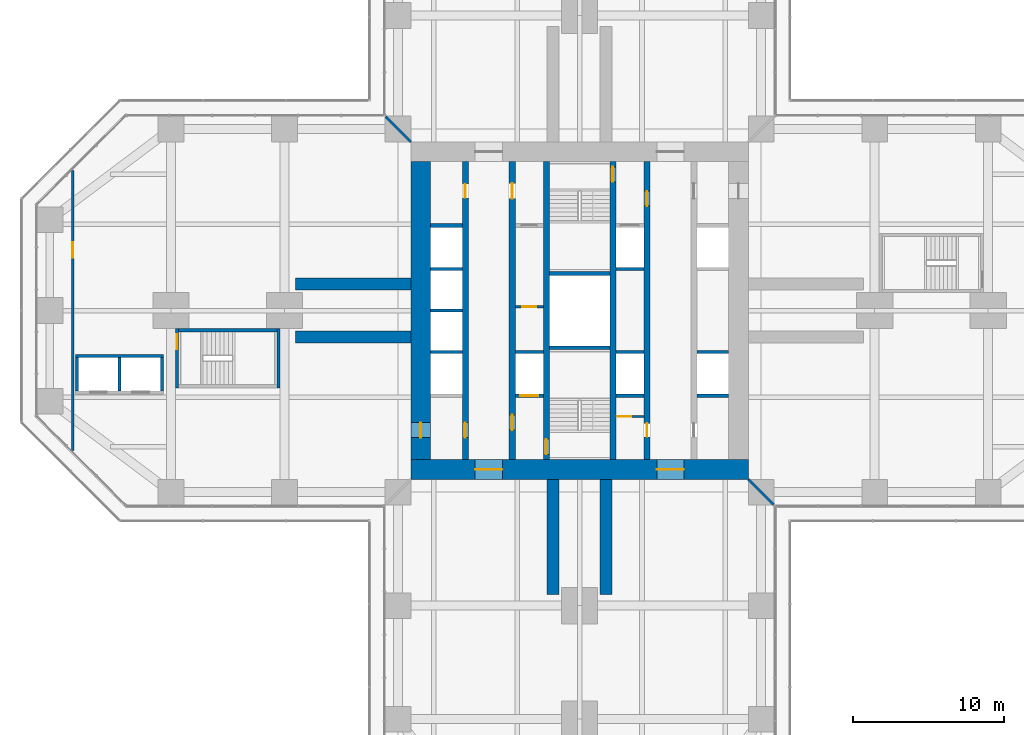
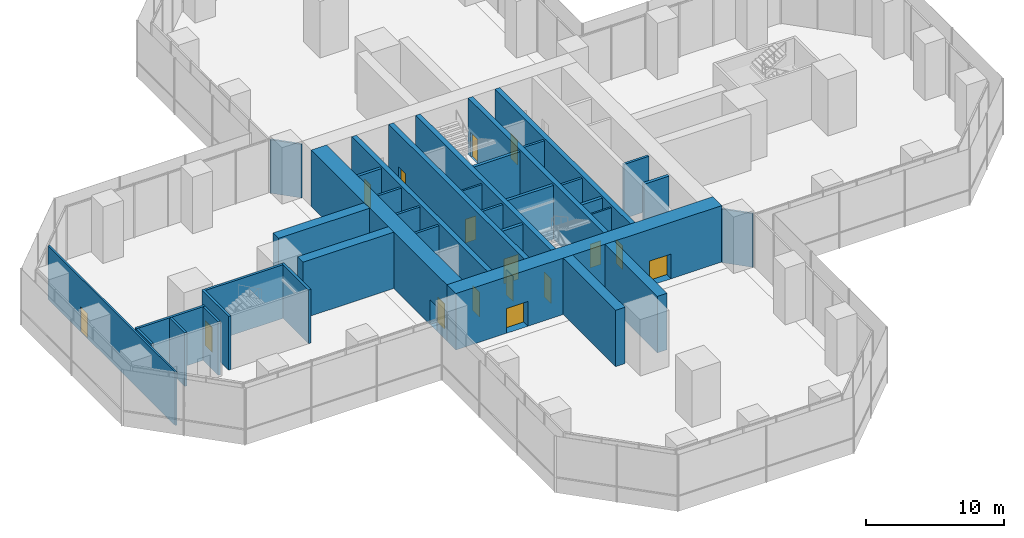
# One storey, part 17 of 23: 36 walls, 16 doors, 16 openings.
"""IFC4 building model written with IfcOpenShell, lengths in metres."""

from ifc_helpers import new_model, si_unit, direction, frame, frame_2d, origin, place, context, subcontext, project, spatial, rectangle, extrude, material, layer, layer_set, type_object, element, fill, save


model = new_model("IFC4")

# Units and contexts
model_context = context("Model", 3, precision=1e-05, world=origin(), true_north=direction((0.0, 1.0)))
body_context = subcontext(model_context, "Body", "Model", "MODEL_VIEW")
ifc_project = project(units=[si_unit("LENGTHUNIT", "METRE"), si_unit("AREAUNIT", "SQUARE_METRE"), si_unit("VOLUMEUNIT", "CUBIC_METRE"), si_unit("PLANEANGLEUNIT", "RADIAN"), si_unit("MASSUNIT", "GRAM", prefix="KILO")], contexts=[model_context])

# Site, building, storey
site_placement = place(None, origin())
site = spatial("IfcSite", under=ifc_project, at=site_placement, CompositionType="ELEMENT")
building_placement = place(site_placement, origin())
building = spatial("IfcBuilding", under=site, at=building_placement, Name="Mizan Broadcast Tower", CompositionType="ELEMENT")
storey_placement = place(building_placement, frame((0.0, 0.0, 23.0)))
storey = spatial("IfcBuildingStorey", under=building, at=storey_placement, Name="L03", CompositionType="ELEMENT", Elevation=23.0)

# Wall, openings, doors
ifc_material_1 = material(Name="Concrete C70/85", Category="concrete")
ifc_layer_1 = layer(ifc_material_1, 0.39990234375)
ifc_layer_set_1 = layer_set([ifc_layer_1], Name="Concrete C70/85")
wall_type_1 = type_object("IfcWallType", Name="CORE INTERNAL WALL 400", PredefinedType="SHEAR", material=ifc_layer_set_1)
wall_1_placement = place(storey_placement, frame((-7.550048828125, -9.85009765625, 0.0), z_axis=(0.0, 0.0, 1.0), x_axis=(0.0, 1.0, 0.0)))
wall_1 = element("IfcWall", 1, at=wall_1_placement, inside=storey, type_object=wall_type_1, Name="Core wall CORE/XW1", PredefinedType="SHEAR", context=body_context, shape_type="SweptSolid", body=[
    extrude(rectangle(XDim=19.7001953125, YDim=0.39990234375, at=frame_2d((9.85009765625, 0.0))), origin(), (0.0, 0.0, 1.0), 5.0),
])
opening_1_placement = place(wall_1_placement, frame((1.449951171875, 0.0, 0.0)))
opening_1 = element("IfcOpeningElement", 2, at=opening_1_placement, cuts=wall_1, Name="Opening D10F", PredefinedType="OPENING", context=body_context, shape_type="SweptSolid", body=[
    extrude(rectangle(XDim=1.0, YDim=2.199951171875, at=frame_2d((0.5, 1.10009765625))), frame((0.0, 0.2099609375, 0.0), z_axis=(0.0, -1.0, 0.0), x_axis=(1.0, 0.0, 0.0)), (0.0, 0.0, 1.0), 0.419921875),
])
opening_2_placement = place(wall_1_placement, frame((17.300048828125, 0.0, 0.0)))
opening_2 = element("IfcOpeningElement", 3, at=opening_2_placement, cuts=wall_1, Name="Opening D09", PredefinedType="OPENING", context=body_context, shape_type="SweptSolid", body=[
    extrude(rectangle(XDim=0.89990234375, YDim=2.10009765625, at=frame_2d((0.449951171875, 1.050048828125))), frame((0.0, 0.2099609375, 0.0), z_axis=(0.0, -1.0, 0.0), x_axis=(1.0, 0.0, 0.0)), (0.0, 0.0, 1.0), 0.419921875),
])
ifc_material_2 = material(Name="Steel door leaf in steel frame", Category="steel")
door_type_1 = type_object("IfcDoorType", Name="FIRE DOOR 1000 FD90", OperationType="SINGLE_SWING_LEFT", PredefinedType="DOOR", material=ifc_material_2)
door_1_placement = place(opening_1_placement, origin())
door_1 = element("IfcDoor", 4, at=door_1_placement, inside=storey, type_object=door_type_1, Name="West core passage door", OperationType="SINGLE_SWING_LEFT", OverallHeight=2.199951171875, OverallWidth=1.0, PredefinedType="DOOR", context=body_context, shape_type="SweptSolid", body=[
    extrude(rectangle(XDim=1.0, YDim=2.199951171875, at=frame_2d((0.5, 1.10009765625))), frame((0.0, 0.02490234375, 0.0), z_axis=(0.0, -1.0, 0.0), x_axis=(1.0, 0.0, 0.0)), (0.0, 0.0, 1.0), 0.050048828125),
])
fill(opening_1, door_1)
ifc_material_3 = material(Name="Timber door leaf in aluminium frame", Category="wood")
door_type_2 = type_object("IfcDoorType", Name="TOILET DOOR 900", OperationType="SINGLE_SWING_LEFT", PredefinedType="DOOR", material=ifc_material_3)
door_2_placement = place(opening_2_placement, origin())
door_2 = element("IfcDoor", 5, at=door_2_placement, inside=storey, type_object=door_type_2, Name="Male WC door", OperationType="SINGLE_SWING_RIGHT", OverallHeight=2.10009765625, OverallWidth=0.89990234375, PredefinedType="DOOR", context=body_context, shape_type="SweptSolid", body=[
    extrude(rectangle(XDim=0.89990234375, YDim=2.10009765625, at=frame_2d((0.449951171875, 1.050048828125))), frame((0.0, 0.02490234375, 0.0), z_axis=(0.0, -1.0, 0.0), x_axis=(1.0, 0.0, 0.0)), (0.0, 0.0, 1.0), 0.050048828125),
])
fill(opening_2, door_2)

wall_2_placement = place(storey_placement, frame((-4.449951171875, -9.85009765625, 0.0), z_axis=(0.0, 0.0, 1.0), x_axis=(0.0, 1.0, 0.0)))
wall_2 = element("IfcWall", 6, at=wall_2_placement, inside=storey, type_object=wall_type_1, Name="Core wall CORE/XWH", PredefinedType="SHEAR", context=body_context, shape_type="SweptSolid", body=[
    extrude(rectangle(XDim=19.7001953125, YDim=0.39990234375, at=frame_2d((9.85009765625, 0.0))), origin(), (0.0, 0.0, 1.0), 5.0),
])
opening_3_placement = place(wall_2_placement, frame((1.949951171875, 0.0, 0.0)))
opening_3 = element("IfcOpeningElement", 7, at=opening_3_placement, cuts=wall_2, Name="Opening D10F", PredefinedType="OPENING", context=body_context, shape_type="SweptSolid", body=[
    extrude(rectangle(XDim=1.0, YDim=2.199951171875, at=frame_2d((0.5, 1.10009765625))), frame((0.0, 0.2099609375, 0.0), z_axis=(0.0, -1.0, 0.0), x_axis=(1.0, 0.0, 0.0)), (0.0, 0.0, 1.0), 0.419921875),
])
opening_4_placement = place(wall_2_placement, frame((17.25, 0.0, 0.0)))
opening_4 = element("IfcOpeningElement", 8, at=opening_4_placement, cuts=wall_2, Name="Opening D10A", PredefinedType="OPENING", context=body_context, shape_type="SweptSolid", body=[
    extrude(rectangle(XDim=1.0, YDim=2.10009765625, at=frame_2d((0.5, 1.050048828125))), frame((0.0, 0.2099609375, 0.0), z_axis=(0.0, -1.0, 0.0), x_axis=(1.0, 0.0, 0.0)), (0.0, 0.0, 1.0), 0.419921875),
])
ifc_material_4 = material(Name="Timber door leaf in aluminium frame", Category="wood")
door_type_3 = type_object("IfcDoorType", Name="ACCESSIBLE WC DOOR 1000", OperationType="SLIDING_TO_LEFT", PredefinedType="DOOR", material=ifc_material_4)
door_3_placement = place(opening_4_placement, origin())
door_3 = element("IfcDoor", 9, at=door_3_placement, inside=storey, type_object=door_type_3, Name="Accessible WC door", OperationType="SLIDING_TO_LEFT", OverallHeight=2.10009765625, OverallWidth=1.0, PredefinedType="DOOR", context=body_context, shape_type="SweptSolid", body=[
    extrude(rectangle(XDim=1.0, YDim=2.10009765625, at=frame_2d((0.5, 1.050048828125))), frame((0.0, 0.02490234375, 0.0), z_axis=(0.0, -1.0, 0.0), x_axis=(1.0, 0.0, 0.0)), (0.0, 0.0, 1.0), 0.050048828125),
])
fill(opening_4, door_3)
door_4_placement = place(opening_3_placement, origin())
door_4 = element("IfcDoor", 10, at=door_4_placement, inside=storey, type_object=door_type_1, Name="Firefighting lobby A door", OperationType="SINGLE_SWING_LEFT", OverallHeight=2.199951171875, OverallWidth=1.0, PredefinedType="DOOR", context=body_context, shape_type="SweptSolid", body=[
    extrude(rectangle(XDim=1.0, YDim=2.199951171875, at=frame_2d((0.5, 1.10009765625))), frame((0.0, 0.02490234375, 0.0), z_axis=(0.0, -1.0, 0.0), x_axis=(1.0, 0.0, 0.0)), (0.0, 0.0, 1.0), 0.050048828125),
])
fill(opening_3, door_4)

wall_3_placement = place(storey_placement, frame((4.449951171875, 9.85009765625, 0.0), z_axis=(0.0, 0.0, 1.0), x_axis=(0.0, -1.0, 0.0)))
wall_3 = element("IfcWall", 11, at=wall_3_placement, inside=storey, type_object=wall_type_1, Name="Core wall CORE/XWHE", PredefinedType="SHEAR", context=body_context, shape_type="SweptSolid", body=[
    extrude(rectangle(XDim=19.7001953125, YDim=0.39990234375, at=frame_2d((9.85009765625, 0.0))), origin(), (0.0, 0.0, 1.0), 5.0),
])
opening_5_placement = place(wall_3_placement, frame((1.949951171875, 0.0, 0.0)))
opening_5 = element("IfcOpeningElement", 12, at=opening_5_placement, cuts=wall_3, Name="Opening D10F", PredefinedType="OPENING", context=body_context, shape_type="SweptSolid", body=[
    extrude(rectangle(XDim=1.0, YDim=2.199951171875, at=frame_2d((0.5, 1.10009765625))), frame((0.0, 0.2099609375, 0.0), z_axis=(0.0, -1.0, 0.0), x_axis=(1.0, 0.0, 0.0)), (0.0, 0.0, 1.0), 0.419921875),
])
opening_6_placement = place(wall_3_placement, frame((17.300048828125, 0.0, 0.0)))
opening_6 = element("IfcOpeningElement", 13, at=opening_6_placement, cuts=wall_3, Name="Opening D09", PredefinedType="OPENING", context=body_context, shape_type="SweptSolid", body=[
    extrude(rectangle(XDim=0.89990234375, YDim=2.10009765625, at=frame_2d((0.449951171875, 1.050048828125))), frame((0.0, 0.2099609375, 0.0), z_axis=(0.0, -1.0, 0.0), x_axis=(1.0, 0.0, 0.0)), (0.0, 0.0, 1.0), 0.419921875),
])
door_5_placement = place(opening_5_placement, origin())
door_5 = element("IfcDoor", 14, at=door_5_placement, inside=storey, type_object=door_type_1, Name="Firefighting lobby B door", OperationType="SINGLE_SWING_LEFT", OverallHeight=2.199951171875, OverallWidth=1.0, PredefinedType="DOOR", context=body_context, shape_type="SweptSolid", body=[
    extrude(rectangle(XDim=1.0, YDim=2.199951171875, at=frame_2d((0.5, 1.10009765625))), frame((0.0, 0.02490234375, 0.0), z_axis=(0.0, -1.0, 0.0), x_axis=(1.0, 0.0, 0.0)), (0.0, 0.0, 1.0), 0.050048828125),
])
fill(opening_5, door_5)
door_6_placement = place(opening_6_placement, origin())
door_6 = element("IfcDoor", 15, at=door_6_placement, inside=storey, type_object=door_type_2, Name="Cleaner's store door", OperationType="SINGLE_SWING_RIGHT", OverallHeight=2.10009765625, OverallWidth=0.89990234375, PredefinedType="DOOR", context=body_context, shape_type="SweptSolid", body=[
    extrude(rectangle(XDim=0.89990234375, YDim=2.10009765625, at=frame_2d((0.449951171875, 1.050048828125))), frame((0.0, 0.02490234375, 0.0), z_axis=(0.0, -1.0, 0.0), x_axis=(1.0, 0.0, 0.0)), (0.0, 0.0, 1.0), 0.050048828125),
])
fill(opening_6, door_6)

# Wall, opening, door
wall_4_placement = place(storey_placement, frame((-2.199951171875, -9.85009765625, 0.0), z_axis=(0.0, 0.0, 1.0), x_axis=(0.0, 1.0, 0.0)))
wall_4 = element("IfcWall", 16, at=wall_4_placement, inside=storey, type_object=wall_type_1, Name="Core wall CORE/XW2", PredefinedType="SHEAR", context=body_context, shape_type="SweptSolid", body=[
    extrude(rectangle(XDim=19.7001953125, YDim=0.39990234375, at=frame_2d((9.85009765625, 0.0))), origin(), (0.0, 0.0, 1.0), 5.0),
])
opening_7_placement = place(wall_4_placement, frame((0.35009765625, 0.0, 0.0)))
opening_7 = element("IfcOpeningElement", 17, at=opening_7_placement, cuts=wall_4, Name="Opening D10S", PredefinedType="OPENING", context=body_context, shape_type="SweptSolid", body=[
    extrude(rectangle(XDim=1.0, YDim=2.199951171875, at=frame_2d((0.5, 1.10009765625))), frame((0.0, 0.2099609375, 0.0), z_axis=(0.0, -1.0, 0.0), x_axis=(1.0, 0.0, 0.0)), (0.0, 0.0, 1.0), 0.419921875),
])
ifc_material_5 = material(Name="Steel door leaf in steel frame", Category="steel")
door_type_4 = type_object("IfcDoorType", Name="STAIR DOOR 1000 FD90S", OperationType="SINGLE_SWING_RIGHT", PredefinedType="DOOR", material=ifc_material_5)
door_7_placement = place(opening_7_placement, origin())
door_7 = element("IfcDoor", 18, at=door_7_placement, inside=storey, type_object=door_type_4, Name="Stair A door", OperationType="SINGLE_SWING_RIGHT", OverallHeight=2.199951171875, OverallWidth=1.0, PredefinedType="DOOR", context=body_context, shape_type="SweptSolid", body=[
    extrude(rectangle(XDim=1.0, YDim=2.199951171875, at=frame_2d((0.5, 1.10009765625))), frame((0.0, 0.02490234375, 0.0), z_axis=(0.0, -1.0, 0.0), x_axis=(1.0, 0.0, 0.0)), (0.0, 0.0, 1.0), 0.050048828125),
])
fill(opening_7, door_7)

wall_5_placement = place(storey_placement, frame((2.199951171875, 9.85009765625, 0.0), z_axis=(0.0, 0.0, 1.0), x_axis=(0.0, -1.0, 0.0)))
wall_5 = element("IfcWall", 19, at=wall_5_placement, inside=storey, type_object=wall_type_1, Name="Core wall CORE/XW2E", PredefinedType="SHEAR", context=body_context, shape_type="SweptSolid", body=[
    extrude(rectangle(XDim=19.7001953125, YDim=0.39990234375, at=frame_2d((9.85009765625, 0.0))), origin(), (0.0, 0.0, 1.0), 5.0),
])
opening_8_placement = place(wall_5_placement, frame((0.35009765625, 0.0, 0.0)))
opening_8 = element("IfcOpeningElement", 20, at=opening_8_placement, cuts=wall_5, Name="Opening D10S", PredefinedType="OPENING", context=body_context, shape_type="SweptSolid", body=[
    extrude(rectangle(XDim=1.0, YDim=2.199951171875, at=frame_2d((0.5, 1.10009765625))), frame((0.0, 0.2099609375, 0.0), z_axis=(0.0, -1.0, 0.0), x_axis=(1.0, 0.0, 0.0)), (0.0, 0.0, 1.0), 0.419921875),
])
door_8_placement = place(opening_8_placement, origin())
door_8 = element("IfcDoor", 21, at=door_8_placement, inside=storey, type_object=door_type_4, Name="Stair B door", OperationType="SINGLE_SWING_RIGHT", OverallHeight=2.199951171875, OverallWidth=1.0, PredefinedType="DOOR", context=body_context, shape_type="SweptSolid", body=[
    extrude(rectangle(XDim=1.0, YDim=2.199951171875, at=frame_2d((0.5, 1.10009765625))), frame((0.0, 0.02490234375, 0.0), z_axis=(0.0, -1.0, 0.0), x_axis=(1.0, 0.0, 0.0)), (0.0, 0.0, 1.0), 0.050048828125),
])
fill(opening_8, door_8)

ifc_material_6 = material(Name="Concrete blockwork", Category="masonry")
ifc_layer_2 = layer(ifc_material_6, 0.14990234375)
ifc_layer_set_2 = layer_set([ifc_layer_2], Name="Concrete blockwork")
wall_type_2 = type_object("IfcWallType", Name="CORE PARTITION 150", PredefinedType="SOLIDWALL", material=ifc_layer_set_2)
wall_6_placement = place(storey_placement, frame((-4.25, 0.25, 0.0), z_axis=(0.0, 0.0, 1.0), x_axis=(1.0, 0.0, 0.0)))
wall_6 = element("IfcWall", 22, at=wall_6_placement, inside=storey, type_object=wall_type_2, Name="Core partition CORE/XP2", PredefinedType="SOLIDWALL", context=body_context, shape_type="SweptSolid", body=[
    extrude(rectangle(XDim=1.85009765625, YDim=0.14990234375, at=frame_2d((0.925048828125, 0.0))), origin(), (0.0, 0.0, 1.0), 4.75),
])
opening_9_placement = place(wall_6_placement, frame((0.47509765625, 0.0, 0.0)))
opening_9 = element("IfcOpeningElement", 23, at=opening_9_placement, cuts=wall_6, Name="Opening D09F", PredefinedType="OPENING", context=body_context, shape_type="SweptSolid", body=[
    extrude(rectangle(XDim=0.89990234375, YDim=2.10009765625, at=frame_2d((0.449951171875, 1.050048828125))), frame((0.0, 0.0849609375, 0.0), z_axis=(0.0, -1.0, 0.0), x_axis=(1.0, 0.0, 0.0)), (0.0, 0.0, 1.0), 0.169921875),
])
ifc_material_7 = material(Name="Steel door leaf in steel frame", Category="steel")
door_type_5 = type_object("IfcDoorType", Name="CORE ROOM DOOR 900 FD90", OperationType="SINGLE_SWING_LEFT", PredefinedType="DOOR", material=ifc_material_7)
door_9_placement = place(opening_9_placement, origin())
door_9 = element("IfcDoor", 24, at=door_9_placement, inside=storey, type_object=door_type_5, Name="Accessible changing room door", OperationType="SINGLE_SWING_RIGHT", OverallHeight=2.10009765625, OverallWidth=0.89990234375, PredefinedType="DOOR", context=body_context, shape_type="SweptSolid", body=[
    extrude(rectangle(XDim=0.89990234375, YDim=2.10009765625, at=frame_2d((0.449951171875, 1.050048828125))), frame((0.0, 0.02490234375, 0.0), z_axis=(0.0, -1.0, 0.0), x_axis=(1.0, 0.0, 0.0)), (0.0, 0.0, 1.0), 0.050048828125),
])
fill(opening_9, door_9)

wall_7_placement = place(storey_placement, frame((2.39990234375, -7.0, 0.0), z_axis=(0.0, 0.0, 1.0), x_axis=(1.0, 0.0, 0.0)))
wall_7 = element("IfcWall", 25, at=wall_7_placement, inside=storey, type_object=wall_type_2, Name="Core partition CORE/XPC", PredefinedType="SOLIDWALL", context=body_context, shape_type="SweptSolid", body=[
    extrude(rectangle(XDim=1.85009765625, YDim=0.14990234375, at=frame_2d((0.925048828125, 0.0))), origin(), (0.0, 0.0, 1.0), 4.75),
])
opening_10_placement = place(wall_7_placement, frame((0.10009765625, 0.0, 0.0)))
opening_10 = element("IfcOpeningElement", 26, at=opening_10_placement, cuts=wall_7, Name="Opening D09F", PredefinedType="OPENING", context=body_context, shape_type="SweptSolid", body=[
    extrude(rectangle(XDim=0.89990234375, YDim=2.10009765625, at=frame_2d((0.449951171875, 1.050048828125))), frame((0.0, 0.0849609375, 0.0), z_axis=(0.0, -1.0, 0.0), x_axis=(1.0, 0.0, 0.0)), (0.0, 0.0, 1.0), 0.169921875),
])
door_10_placement = place(opening_10_placement, origin())
door_10 = element("IfcDoor", 27, at=door_10_placement, inside=storey, type_object=door_type_5, Name="Waste store door", OperationType="SINGLE_SWING_LEFT", OverallHeight=2.10009765625, OverallWidth=0.89990234375, PredefinedType="DOOR", context=body_context, shape_type="SweptSolid", body=[
    extrude(rectangle(XDim=0.89990234375, YDim=2.10009765625, at=frame_2d((0.449951171875, 1.050048828125))), frame((0.0, 0.02490234375, 0.0), z_axis=(0.0, -1.0, 0.0), x_axis=(1.0, 0.0, 0.0)), (0.0, 0.0, 1.0), 0.050048828125),
])
fill(opening_10, door_10)

# Wall, openings, doors
ifc_material_8 = material(Name="Concrete C70/85", Category="concrete")
ifc_layer_3 = layer(ifc_material_8, 1.300048828125)
ifc_layer_set_3 = layer_set([ifc_layer_3], Name="Concrete C70/85")
wall_type_3 = type_object("IfcWallType", Name="CORE WALL 1300", PredefinedType="SHEAR", material=ifc_layer_set_3)
wall_8_placement = place(storey_placement, frame((11.14990234375, -10.5, 0.0), z_axis=(0.0, 0.0, 1.0), x_axis=(-1.0, 0.0, 0.0)))
wall_8 = element("IfcWall", 28, at=wall_8_placement, inside=storey, type_object=wall_type_3, Name="Core wall S L03", PredefinedType="SHEAR", context=body_context, shape_type="SweptSolid", body=[
    extrude(rectangle(XDim=22.2998046875, YDim=1.300048828125, at=frame_2d((11.14990234375, 0.0))), origin(), (0.0, 0.0, 1.0), 5.0),
])
opening_11_placement = place(wall_8_placement, frame((16.25, 0.0, 0.0)))
opening_11 = element("IfcOpeningElement", 29, at=opening_11_placement, cuts=wall_8, Name="Opening D18F", PredefinedType="OPENING", context=body_context, shape_type="SweptSolid", body=[
    extrude(rectangle(XDim=1.800048828125, YDim=2.199951171875, at=frame_2d((0.89990234375, 1.10009765625))), frame((0.0, 0.659912109375, 0.0), z_axis=(0.0, -1.0, 0.0), x_axis=(1.0, 0.0, 0.0)), (0.0, 0.0, 1.0), 1.320068359375),
])
opening_12_placement = place(wall_8_placement, frame((4.25, 0.0, 0.0)))
opening_12 = element("IfcOpeningElement", 30, at=opening_12_placement, cuts=wall_8, Name="Opening D18F", PredefinedType="OPENING", context=body_context, shape_type="SweptSolid", body=[
    extrude(rectangle(XDim=1.800048828125, YDim=2.199951171875, at=frame_2d((0.89990234375, 1.10009765625))), frame((0.0, 0.659912109375, 0.0), z_axis=(0.0, -1.0, 0.0), x_axis=(1.0, 0.0, 0.0)), (0.0, 0.0, 1.0), 1.320068359375),
])
ifc_material_9 = material(Name="Steel door leaf in steel frame", Category="steel")
door_type_6 = type_object("IfcDoorType", Name="LOBBY DOUBLE DOOR 1800 FD90", OperationType="DOUBLE_DOOR_DOUBLE_SWING", PredefinedType="DOOR", material=ifc_material_9)
door_11_placement = place(opening_11_placement, origin())
door_11 = element("IfcDoor", 31, at=door_11_placement, inside=storey, type_object=door_type_6, Name="West lift lobby south door", OperationType="DOUBLE_DOOR_DOUBLE_SWING", OverallHeight=2.199951171875, OverallWidth=1.800048828125, PredefinedType="DOOR", context=body_context, shape_type="SweptSolid", body=[
    extrude(rectangle(XDim=1.800048828125, YDim=2.199951171875, at=frame_2d((0.89990234375, 1.10009765625))), frame((0.0, 0.02490234375, 0.0), z_axis=(0.0, -1.0, 0.0), x_axis=(1.0, 0.0, 0.0)), (0.0, 0.0, 1.0), 0.050048828125),
])
fill(opening_11, door_11)
door_12_placement = place(opening_12_placement, origin())
door_12 = element("IfcDoor", 32, at=door_12_placement, inside=storey, type_object=door_type_6, Name="East lift lobby south door", OperationType="DOUBLE_DOOR_DOUBLE_SWING", OverallHeight=2.199951171875, OverallWidth=1.800048828125, PredefinedType="DOOR", context=body_context, shape_type="SweptSolid", body=[
    extrude(rectangle(XDim=1.800048828125, YDim=2.199951171875, at=frame_2d((0.89990234375, 1.10009765625))), frame((0.0, 0.02490234375, 0.0), z_axis=(0.0, -1.0, 0.0), x_axis=(1.0, 0.0, 0.0)), (0.0, 0.0, 1.0), 0.050048828125),
])
fill(opening_12, door_12)

# Wall, opening, door
wall_9_placement = place(storey_placement, frame((-10.5, 9.85009765625, 0.0), z_axis=(0.0, 0.0, 1.0), x_axis=(0.0, -1.0, 0.0)))
wall_9 = element("IfcWall", 33, at=wall_9_placement, inside=storey, type_object=wall_type_3, Name="Core wall W L03", PredefinedType="SHEAR", context=body_context, shape_type="SweptSolid", body=[
    extrude(rectangle(XDim=19.7001953125, YDim=1.300048828125, at=frame_2d((9.85009765625, 0.0))), origin(), (0.0, 0.0, 1.0), 5.0),
])
opening_13_placement = place(wall_9_placement, frame((17.25, 0.0, 0.0)))
opening_13 = element("IfcOpeningElement", 34, at=opening_13_placement, cuts=wall_9, Name="Opening D10F", PredefinedType="OPENING", context=body_context, shape_type="SweptSolid", body=[
    extrude(rectangle(XDim=1.0, YDim=2.199951171875, at=frame_2d((0.5, 1.10009765625))), frame((0.0, 0.659912109375, 0.0), z_axis=(0.0, -1.0, 0.0), x_axis=(1.0, 0.0, 0.0)), (0.0, 0.0, 1.0), 1.320068359375),
])
door_13_placement = place(opening_13_placement, origin())
door_13 = element("IfcDoor", 35, at=door_13_placement, inside=storey, type_object=door_type_1, Name="West core passage arm door", OperationType="SINGLE_SWING_RIGHT", OverallHeight=2.199951171875, OverallWidth=1.0, PredefinedType="DOOR", context=body_context, shape_type="SweptSolid", body=[
    extrude(rectangle(XDim=1.0, YDim=2.199951171875, at=frame_2d((0.5, 1.10009765625))), frame((0.0, 0.02490234375, 0.0), z_axis=(0.0, -1.0, 0.0), x_axis=(1.0, 0.0, 0.0)), (0.0, 0.0, 1.0), 0.050048828125),
])
fill(opening_13, door_13)

# Walls
ifc_material_10 = material(Name="Concrete blockwork", Category="masonry")
ifc_layer_4 = layer(ifc_material_10, 0.199951171875)
ifc_layer_set_4 = layer_set([ifc_layer_4], Name="Concrete blockwork")
wall_type_4 = type_object("IfcWallType", Name="LIFT SHAFT WALL 200", PredefinedType="SOLIDWALL", material=ifc_layer_set_4)
wall_10_placement = place(storey_placement, frame((-9.85009765625, -2.75, 0.0), z_axis=(0.0, 0.0, 1.0), x_axis=(1.0, 0.0, 0.0)))
element("IfcWall", 36, at=wall_10_placement, inside=storey, type_object=wall_type_4, Name="Lift shaft wall CORE/SW1-1", PredefinedType="SOLIDWALL", context=body_context, shape_type="SweptSolid", body=[
    extrude(rectangle(XDim=2.10009765625, YDim=0.199951171875, at=frame_2d((1.050048828125, 0.0))), origin(), (0.0, 0.0, 1.0), 4.800048828125),
])
for number, where, z_axis, x_axis, name in (
    (37, (-4.25, -2.75, 0.0), (0.0, 0.0, 1.0), (1.0, 0.0, 0.0), "Lift shaft wall CORE/SW2-1"),
    (38, (2.39990234375, -2.75, 0.0), (0.0, 0.0, 1.0), (1.0, 0.0, 0.0), "Lift shaft wall CORE/SE2-1"),
):
    element("IfcWall", number, at=place(storey_placement, frame(where, z_axis=z_axis, x_axis=x_axis)), inside=storey, type_object=wall_type_4, Name=name, PredefinedType="SOLIDWALL", context=body_context, shape_type="SweptSolid", body=[
        extrude(rectangle(XDim=1.85009765625, YDim=0.199951171875, at=frame_2d((0.925048828125, 0.0))), origin(), (0.0, 0.0, 1.0), 4.800048828125),
    ])
for number, where, z_axis, x_axis, name in (
    (39, (7.75, -2.75, 0.0), (0.0, 0.0, 1.0), (1.0, 0.0, 0.0), "Lift shaft wall CORE/SE1-1"),
    (40, (-9.85009765625, 0.0, 0.0), (0.0, 0.0, 1.0), (1.0, 0.0, 0.0), "Lift shaft wall CORE/SW1-2"),
    (41, (-9.85009765625, 2.75, 0.0), (0.0, 0.0, 1.0), (1.0, 0.0, 0.0), "Lift shaft wall CORE/SW1-3"),
):
    element("IfcWall", number, at=place(storey_placement, frame(where, z_axis=z_axis, x_axis=x_axis)), inside=storey, type_object=wall_type_4, Name=name, PredefinedType="SOLIDWALL", context=body_context, shape_type="SweptSolid", body=[
        extrude(rectangle(XDim=2.10009765625, YDim=0.199951171875, at=frame_2d((1.050048828125, 0.0))), origin(), (0.0, 0.0, 1.0), 4.800048828125),
    ])
wall_11_placement = place(storey_placement, frame((2.39990234375, 2.75, 0.0), z_axis=(0.0, 0.0, 1.0), x_axis=(1.0, 0.0, 0.0)))
element("IfcWall", 42, at=wall_11_placement, inside=storey, type_object=wall_type_4, Name="Lift shaft wall CORE/SE2-3", PredefinedType="SOLIDWALL", context=body_context, shape_type="SweptSolid", body=[
    extrude(rectangle(XDim=1.85009765625, YDim=0.199951171875, at=frame_2d((0.925048828125, 0.0))), origin(), (0.0, 0.0, 1.0), 4.800048828125),
])
wall_12_placement = place(storey_placement, frame((-27.5, -3.0, 0.0), z_axis=(0.0, 0.0, 1.0), x_axis=(-1.0, 0.0, 0.0)))
element("IfcWall", 43, at=wall_12_placement, inside=storey, type_object=wall_type_4, Name="Lift shaft wall PLS/V0", PredefinedType="SOLIDWALL", context=body_context, shape_type="SweptSolid", body=[
    extrude(rectangle(XDim=5.800048828125, YDim=0.199951171875, at=frame_2d((2.89990234375, 0.0))), origin(), (0.0, 0.0, 1.0), 4.75),
])
for number, where, z_axis, x_axis, name in (
    (44, (-27.60009765625, -3.10009765625, 0.0), (0.0, 0.0, 1.0), (0.0, -1.0, 0.0), "Lift shaft wall PLS/U0"),
    (45, (-30.39990234375, -3.10009765625, 0.0), (0.0, 0.0, 1.0), (0.0, -1.0, 0.0), "Lift shaft wall PLS/U1"),
    (46, (-33.199951171875, -3.10009765625, 0.0), (0.0, 0.0, 1.0), (0.0, -1.0, 0.0), "Lift shaft wall PLS/U2"),
):
    element("IfcWall", number, at=place(storey_placement, frame(where, z_axis=z_axis, x_axis=x_axis)), inside=storey, type_object=wall_type_4, Name=name, PredefinedType="SOLIDWALL", context=body_context, shape_type="SweptSolid", body=[
        extrude(rectangle(XDim=2.199951171875, YDim=0.199951171875, at=frame_2d((1.10009765625, 0.0))), origin(), (0.0, 0.0, 1.0), 4.75),
    ])
ifc_material_11 = material(Name="Concrete blockwork", Category="masonry")
ifc_layer_5 = layer(ifc_material_11, 0.25)
ifc_layer_set_5 = layer_set([ifc_layer_5], Name="Concrete blockwork")
wall_type_5 = type_object("IfcWallType", Name="LOBBY ENCLOSURE WALL 250", PredefinedType="SOLIDWALL", material=ifc_layer_set_5)
wall_13_placement = place(storey_placement, frame((-9.85009765625, 5.625, 0.0), z_axis=(0.0, 0.0, 1.0), x_axis=(1.0, 0.0, 0.0)))
element("IfcWall", 47, at=wall_13_placement, inside=storey, type_object=wall_type_5, Name="Lobby enclosure wall CORE/BW1N", PredefinedType="SOLIDWALL", context=body_context, shape_type="SweptSolid", body=[
    extrude(rectangle(XDim=2.10009765625, YDim=0.25, at=frame_2d((1.050048828125, 0.0))), origin(), (0.0, 0.0, 1.0), 4.800048828125),
])

# Wall, opening, door
wall_14_placement = place(storey_placement, frame((-4.25, -5.625, 0.0), z_axis=(0.0, 0.0, 1.0), x_axis=(1.0, 0.0, 0.0)))
wall_14 = element("IfcWall", 48, at=wall_14_placement, inside=storey, type_object=wall_type_5, Name="Lobby enclosure wall CORE/BW2S", PredefinedType="SOLIDWALL", context=body_context, shape_type="SweptSolid", body=[
    extrude(rectangle(XDim=1.85009765625, YDim=0.25, at=frame_2d((0.925048828125, 0.0))), origin(), (0.0, 0.0, 1.0), 4.800048828125),
])
opening_14_placement = place(wall_14_placement, frame((0.324951171875, 0.0, 0.0)))
opening_14 = element("IfcOpeningElement", 49, at=opening_14_placement, cuts=wall_14, Name="Opening LDF", PredefinedType="OPENING", context=body_context, shape_type="SweptSolid", body=[
    extrude(rectangle(XDim=1.199951171875, YDim=2.199951171875, at=frame_2d((0.60009765625, 1.10009765625))), frame((0.0, 0.135009765625, 0.0), z_axis=(0.0, -1.0, 0.0), x_axis=(1.0, 0.0, 0.0)), (0.0, 0.0, 1.0), 0.27001953125),
])
ifc_material_12 = material(Name="Steel door leaf in steel frame", Category="steel")
door_type_7 = type_object("IfcDoorType", Name="FIREFIGHTING LIFT LANDING DOOR 1200", OperationType="SLIDING_TO_LEFT", PredefinedType="DOOR", material=ifc_material_12)
door_14_placement = place(opening_14_placement, origin())
door_14 = element("IfcDoor", 50, at=door_14_placement, inside=storey, type_object=door_type_7, Name="Landing door FF1", OperationType="SLIDING_TO_LEFT", OverallHeight=2.199951171875, OverallWidth=1.199951171875, PredefinedType="DOOR", context=body_context, shape_type="SweptSolid", body=[
    extrude(rectangle(XDim=1.199951171875, YDim=2.199951171875, at=frame_2d((0.60009765625, 1.10009765625))), frame((0.0, 0.02490234375, 0.0), z_axis=(0.0, -1.0, 0.0), x_axis=(1.0, 0.0, 0.0)), (0.0, 0.0, 1.0), 0.050048828125),
])
fill(opening_14, door_14)

# Walls
wall_15_placement = place(storey_placement, frame((2.39990234375, -5.625, 0.0), z_axis=(0.0, 0.0, 1.0), x_axis=(1.0, 0.0, 0.0)))
element("IfcWall", 51, at=wall_15_placement, inside=storey, type_object=wall_type_5, Name="Lobby enclosure wall CORE/BE2S", PredefinedType="SOLIDWALL", context=body_context, shape_type="SweptSolid", body=[
    extrude(rectangle(XDim=1.85009765625, YDim=0.25, at=frame_2d((0.925048828125, 0.0))), origin(), (0.0, 0.0, 1.0), 4.800048828125),
])
wall_16_placement = place(storey_placement, frame((7.75, -5.625, 0.0), z_axis=(0.0, 0.0, 1.0), x_axis=(1.0, 0.0, 0.0)))
element("IfcWall", 52, at=wall_16_placement, inside=storey, type_object=wall_type_5, Name="Lobby enclosure wall CORE/BE1S", PredefinedType="SOLIDWALL", context=body_context, shape_type="SweptSolid", body=[
    extrude(rectangle(XDim=2.10009765625, YDim=0.25, at=frame_2d((1.050048828125, 0.0))), origin(), (0.0, 0.0, 1.0), 4.800048828125),
])
for number, where, z_axis, x_axis, name in (
    (53, (-2.0, -2.449951171875, 0.0), (0.0, 0.0, 1.0), (1.0, 0.0, 0.0), "Lobby enclosure wall CORE/STA"),
    (54, (-2.0, 2.449951171875, 0.0), (0.0, 0.0, 1.0), (1.0, 0.0, 0.0), "Lobby enclosure wall CORE/STB"),
):
    element("IfcWall", number, at=place(storey_placement, frame(where, z_axis=z_axis, x_axis=x_axis)), inside=storey, type_object=wall_type_5, Name=name, PredefinedType="SOLIDWALL", context=body_context, shape_type="SweptSolid", body=[
        extrude(rectangle(XDim=4.0, YDim=0.25, at=frame_2d((2.0, 0.0))), origin(), (0.0, 0.0, 1.0), 4.800048828125),
    ])

# Wall, opening, door
ifc_material_13 = material(Name="Gypsum board on steel studs", Category="steel")
ifc_layer_6 = layer(ifc_material_13, 0.14990234375)
ifc_layer_set_6 = layer_set([ifc_layer_6], Name="Gypsum board on steel studs")
wall_type_6 = type_object("IfcWallType", Name="PARTITION 150", PredefinedType="PARTITIONING", material=ifc_layer_set_6)
wall_17_placement = place(storey_placement, frame((-33.5, 9.245361328125, 0.0), z_axis=(0.0, 0.0, 1.0), x_axis=(0.0, -1.0, 0.0)))
wall_17 = element("IfcWall", 55, at=wall_17_placement, inside=storey, type_object=wall_type_6, Name="Partition PT/WX1", PredefinedType="PARTITIONING", context=body_context, shape_type="SweptSolid", body=[
    extrude(rectangle(XDim=18.49072265625, YDim=0.14990234375, at=frame_2d((9.245361328125, 0.0))), origin(), (0.0, 0.0, 1.0), 4.75),
])
opening_15_placement = place(wall_17_placement, frame((4.745361328125, 0.0, 0.0)))
opening_15 = element("IfcOpeningElement", 56, at=opening_15_placement, cuts=wall_17, Name="Opening D10", PredefinedType="OPENING", context=body_context, shape_type="SweptSolid", body=[
    extrude(rectangle(XDim=1.0, YDim=2.199951171875, at=frame_2d((0.5, 1.10009765625))), frame((0.0, 0.0849609375, 0.0), z_axis=(0.0, -1.0, 0.0), x_axis=(1.0, 0.0, 0.0)), (0.0, 0.0, 1.0), 0.169921875),
])
ifc_material_14 = material(Name="Timber door leaf in aluminium frame", Category="wood")
door_type_8 = type_object("IfcDoorType", Name="ROOM DOOR 1000", OperationType="SINGLE_SWING_LEFT", PredefinedType="DOOR", material=ifc_material_14)
door_15_placement = place(opening_15_placement, origin())
door_15 = element("IfcDoor", 57, at=door_15_placement, inside=storey, type_object=door_type_8, Name="Colour grading room door", OperationType="SINGLE_SWING_LEFT", OverallHeight=2.199951171875, OverallWidth=1.0, PredefinedType="DOOR", context=body_context, shape_type="SweptSolid", body=[
    extrude(rectangle(XDim=1.0, YDim=2.199951171875, at=frame_2d((0.5, 1.10009765625))), frame((0.0, 0.02490234375, 0.0), z_axis=(0.0, -1.0, 0.0), x_axis=(1.0, 0.0, 0.0)), (0.0, 0.0, 1.0), 0.050048828125),
])
fill(opening_15, door_15)

# Walls
for number, where, z_axis, x_axis, name in (
    (58, (-11.14990234375, 11.14990234375, 0.0), (0.0, 0.0, 1.0), (-0.707106781187, 0.707106781187, 0.0), "Partition PT/DGWN"),
    (59, (11.14990234375, -11.14990234375, 0.0), (0.0, 0.0, 1.0), (0.707106781187, -0.707106781187, 0.0), "Partition PT/DGES"),
):
    element("IfcWall", number, at=place(storey_placement, frame(where, z_axis=z_axis, x_axis=x_axis)), inside=storey, type_object=wall_type_6, Name=name, PredefinedType="PARTITIONING", context=body_context, shape_type="SweptSolid", body=[
        extrude(rectangle(XDim=2.362060546875, YDim=0.14990234375, at=frame_2d((1.18115234375, 0.0))), origin(), (0.0, 0.0, 1.0), 4.75),
    ])
ifc_material_15 = material(Name="Concrete C70/85", Category="concrete")
ifc_layer_7 = layer(ifc_material_15, 0.800048828125)
ifc_layer_set_7 = layer_set([ifc_layer_7], Name="Concrete C70/85")
wall_type_7 = type_object("IfcWallType", Name="SPINE WALL 800", PredefinedType="SHEAR", material=ifc_layer_set_7)
for number, where, z_axis, x_axis, name in (
    (60, (-11.14990234375, 1.75, 0.0), (0.0, 0.0, 1.0), (-1.0, 0.0, 0.0), "Spine wall WR L03"),
    (61, (-11.14990234375, -1.75, 0.0), (0.0, 0.0, 1.0), (-1.0, 0.0, 0.0), "Spine wall WL L03"),
    (62, (-1.75, -11.14990234375, 0.0), (0.0, 0.0, 1.0), (0.0, -1.0, 0.0), "Spine wall SR L03"),
    (63, (1.75, -11.14990234375, 0.0), (0.0, 0.0, 1.0), (0.0, -1.0, 0.0), "Spine wall SL L03"),
):
    element("IfcWall", number, at=place(storey_placement, frame(where, z_axis=z_axis, x_axis=x_axis)), inside=storey, type_object=wall_type_7, Name=name, PredefinedType="SHEAR", context=body_context, shape_type="SweptSolid", body=[
        extrude(rectangle(XDim=7.625, YDim=0.800048828125, at=frame_2d((3.8125, 0.0))), origin(), (0.0, 0.0, 1.0), 5.0),
    ])
ifc_material_16 = material(Name="Concrete C40/50", Category="concrete")
ifc_layer_8 = layer(ifc_material_16, 0.199951171875)
ifc_layer_set_8 = layer_set([ifc_layer_8], Name="Concrete C40/50")
wall_type_8 = type_object("IfcWallType", Name="STAIR SHAFT WALL 200 RC", PredefinedType="SOLIDWALL", material=ifc_layer_set_8)
wall_18_placement = place(storey_placement, frame((-19.89990234375, -1.199951171875, 0.0), z_axis=(0.0, 0.0, 1.0), x_axis=(0.0, -1.0, 0.0)))
element("IfcWall", 64, at=wall_18_placement, inside=storey, type_object=wall_type_8, Name="Stair shaft wall PS/W/U0", PredefinedType="SOLIDWALL", context=body_context, shape_type="SweptSolid", body=[
    extrude(rectangle(XDim=3.900146484375, YDim=0.199951171875, at=frame_2d((1.9501953125, 0.0))), origin(), (0.0, 0.0, 1.0), 4.75),
])

# Wall, opening, door
wall_19_placement = place(storey_placement, frame((-26.60009765625, -5.10009765625, 0.0), z_axis=(0.0, 0.0, 1.0), x_axis=(0.0, 1.0, 0.0)))
wall_19 = element("IfcWall", 65, at=wall_19_placement, inside=storey, type_object=wall_type_8, Name="Stair shaft wall PS/W/U1", PredefinedType="SOLIDWALL", context=body_context, shape_type="SweptSolid", body=[
    extrude(rectangle(XDim=3.900146484375, YDim=0.199951171875, at=frame_2d((1.9501953125, 0.0))), origin(), (0.0, 0.0, 1.0), 4.75),
])
opening_16_placement = place(wall_19_placement, frame((2.550048828125, 0.0, 0.0)))
opening_16 = element("IfcOpeningElement", 66, at=opening_16_placement, cuts=wall_19, Name="Opening D10S", PredefinedType="OPENING", context=body_context, shape_type="SweptSolid", body=[
    extrude(rectangle(XDim=1.0, YDim=2.199951171875, at=frame_2d((0.5, 1.10009765625))), frame((0.0, 0.10986328125, 0.0), z_axis=(0.0, -1.0, 0.0), x_axis=(1.0, 0.0, 0.0)), (0.0, 0.0, 1.0), 0.219970703125),
])
door_16_placement = place(opening_16_placement, origin())
door_16 = element("IfcDoor", 67, at=door_16_placement, inside=storey, type_object=door_type_4, Name="Stair D door", OperationType="SINGLE_SWING_RIGHT", OverallHeight=2.199951171875, OverallWidth=1.0, PredefinedType="DOOR", context=body_context, shape_type="SweptSolid", body=[
    extrude(rectangle(XDim=1.0, YDim=2.199951171875, at=frame_2d((0.5, 1.10009765625))), frame((0.0, 0.02490234375, 0.0), z_axis=(0.0, -1.0, 0.0), x_axis=(1.0, 0.0, 0.0)), (0.0, 0.0, 1.0), 0.050048828125),
])
fill(opening_16, door_16)

# Wall
wall_20_placement = place(storey_placement, frame((-20.0, -1.300048828125, 0.0), z_axis=(0.0, 0.0, 1.0), x_axis=(-1.0, 0.0, 0.0)))
element("IfcWall", 68, at=wall_20_placement, inside=storey, type_object=wall_type_8, Name="Stair shaft wall PS/W/V0", PredefinedType="SOLIDWALL", context=body_context, shape_type="SweptSolid", body=[
    extrude(rectangle(XDim=6.5, YDim=0.199951171875, at=frame_2d((3.25, 0.0))), origin(), (0.0, 0.0, 1.0), 4.75),
])

save(model, "model.ifc")
